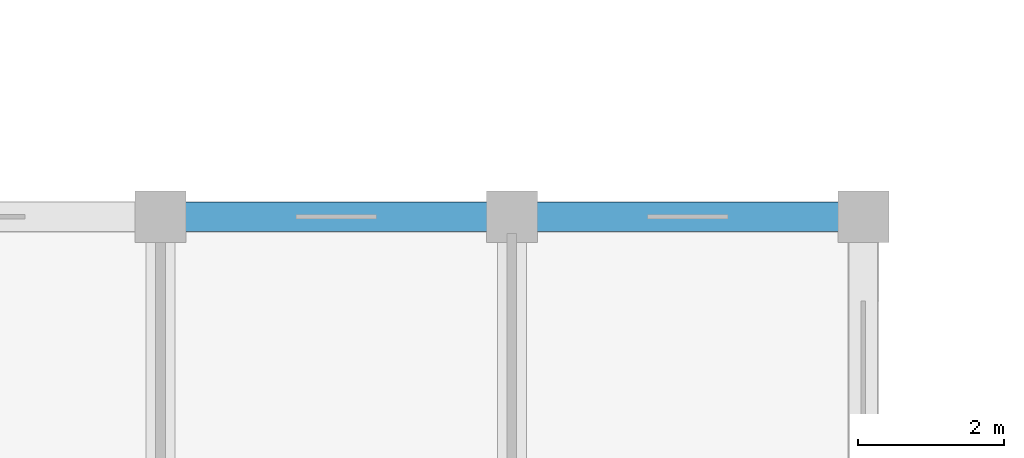
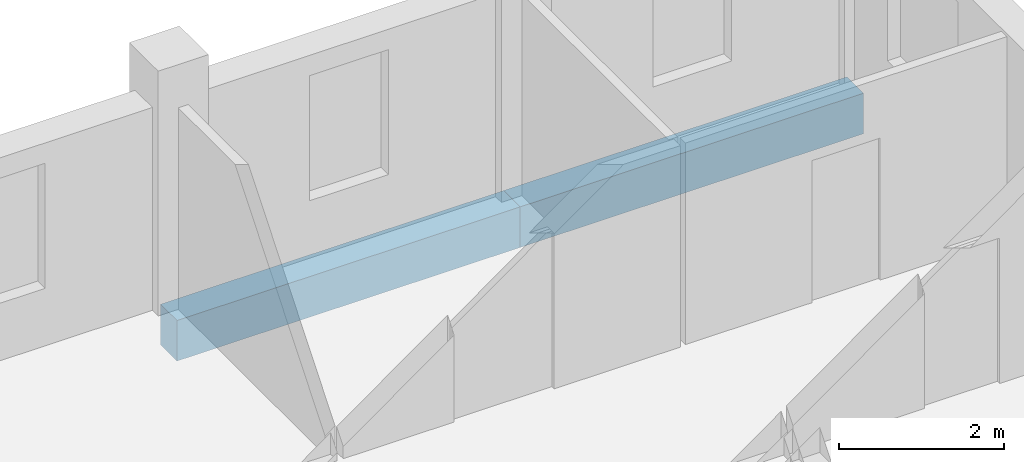
# One storey, part 20 of 128: 2 beams.
"""IFC4 building model written with IfcOpenShell, lengths in metres."""

from ifc_helpers import new_model, si_unit, direction, frame, origin, origin_2d, place, context, subcontext, project, spatial, rectangle, extrude, material, material_profile, profile_set, type_object, element, save


model = new_model("IFC4")

# Units and contexts
model_context = context("Model", 3, precision=1e-05, world=origin(), true_north=direction((0.0, 1.0)))
body_context = subcontext(model_context, "Body", "Model", "MODEL_VIEW")
ifc_project = project(units=[si_unit("LENGTHUNIT", "METRE"), si_unit("AREAUNIT", "SQUARE_METRE"), si_unit("VOLUMEUNIT", "CUBIC_METRE"), si_unit("PLANEANGLEUNIT", "RADIAN"), si_unit("MASSUNIT", "GRAM", prefix="KILO")], contexts=[model_context])

# Site, building, storey
site_placement = place(None, origin())
site = spatial("IfcSite", under=ifc_project, at=site_placement, CompositionType="ELEMENT")
building_placement = place(site_placement, origin())
building = spatial("IfcBuilding", under=site, at=building_placement, Name="Zornivar Specialist Clinic", CompositionType="ELEMENT")
storey_placement = place(building_placement, frame((0.0, 0.0, 4.5)))
storey = spatial("IfcBuildingStorey", under=building, at=storey_placement, Name="L01", CompositionType="ELEMENT", Elevation=4.5)

# Beams
ifc_material = material(Name="Concrete C30/37", Category="concrete")
ifc_material_profile = material_profile(ifc_material, rectangle(XDim=0.39990234375, YDim=0.60009765625, at=origin_2d()), Name="RC 400x600")
ifc_profile_set = profile_set([ifc_material_profile], Name="Concrete C30/37")
beam_type = type_object("IfcBeamType", Name="BM-RC-400x600", PredefinedType="BEAM", material=ifc_profile_set)
beam_1_placement = place(storey_placement, frame((33.60009765625, 14.39990234375, -0.580078125), z_axis=(1.0, 0.0, 0.0), x_axis=(0.0, 1.0, 0.0)))
element("IfcBeam", 1, at=beam_1_placement, inside=storey, type_object=beam_type, Name="bm:V2:L01:x:144:5", PredefinedType="BEAM", context=body_context, shape_type="SweptSolid", body=[
    extrude(rectangle(XDim=0.39990234375, YDim=0.60009765625, at=origin_2d()), origin(), (0.0, 0.0, 1.0), 4.7998046875),
])
beam_2_placement = place(storey_placement, frame((38.39990234375, 14.39990234375, -0.580078125), z_axis=(1.0, 0.0, 0.0), x_axis=(0.0, 1.0, 0.0)))
element("IfcBeam", 2, at=beam_2_placement, inside=storey, type_object=beam_type, Name="bm:V2:L01:x:144:6", PredefinedType="BEAM", context=body_context, shape_type="SweptSolid", body=[
    extrude(rectangle(XDim=0.39990234375, YDim=0.60009765625, at=origin_2d()), origin(), (0.0, 0.0, 1.0), 4.800048828125),
])

save(model, "model.ifc")
